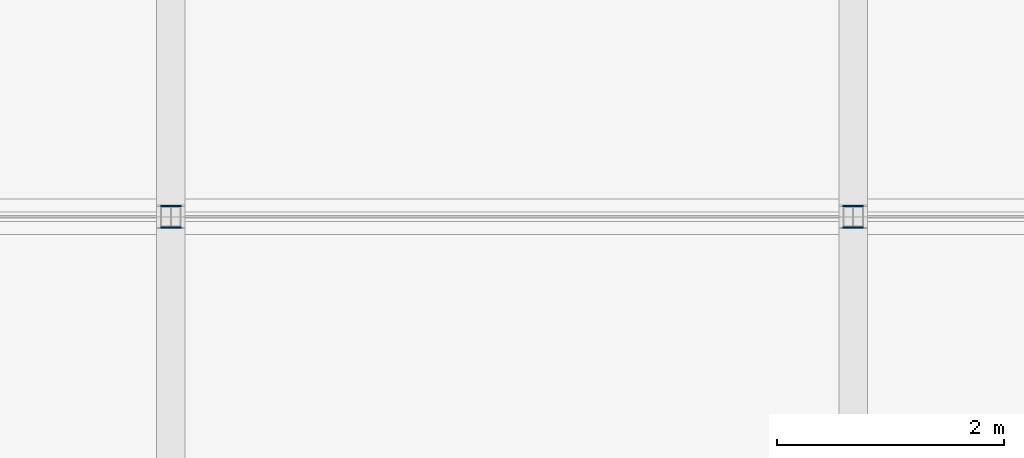
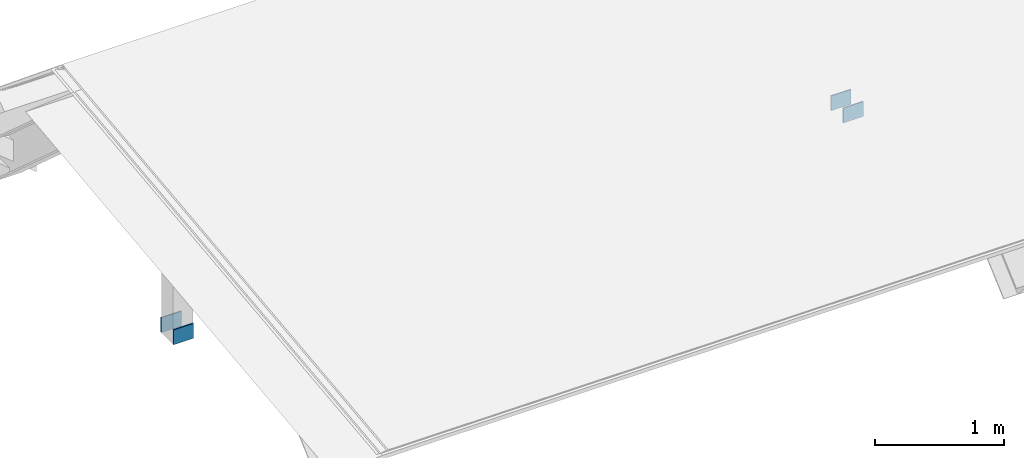
# One storey, part 84 of 108: 4 discrete accessories.
"""IFC4 building model written with IfcOpenShell, lengths in metres."""

from ifc_helpers import new_model, si_unit, direction, frame, origin, origin_2d, place, context, subcontext, project, spatial, rectangle, extrude, material, type_object, element, save


model = new_model("IFC4")

# Units and contexts
model_context = context("Model", 3, precision=1e-05, world=origin(), true_north=direction((0.0, 1.0)))
body_context = subcontext(model_context, "Body", "Model", "MODEL_VIEW")
ifc_project = project(units=[si_unit("LENGTHUNIT", "METRE"), si_unit("AREAUNIT", "SQUARE_METRE"), si_unit("VOLUMEUNIT", "CUBIC_METRE"), si_unit("PLANEANGLEUNIT", "RADIAN"), si_unit("MASSUNIT", "GRAM", prefix="KILO")], contexts=[model_context])

# Site, building, storey
site_placement = place(None, origin())
site = spatial("IfcSite", under=ifc_project, at=site_placement, CompositionType="ELEMENT")
building_placement = place(site_placement, origin())
building = spatial("IfcBuilding", under=site, at=building_placement, Name="Cumevento Cable Car Station", CompositionType="ELEMENT")
storey_placement = place(building_placement, frame((0.0, 0.0, 13.5)))
storey = spatial("IfcBuildingStorey", under=building, at=storey_placement, Name="L04", CompositionType="ELEMENT", Elevation=13.5)

# Discrete accessories
ifc_material = material(Name="Steel ASTM A572 Grade 50", Category="steel")
discrete_accessory_type = type_object("IfcDiscreteAccessoryType", Name="King Post Foot Cleat Plate KC-01", PredefinedType="BRACKET", material=ifc_material)
for number, where, z_axis, x_axis, name in (
    (1, (70.0, 6.655029296875, -0.0009765625), (0.0, 0.0, 1.0), (0.0, 1.0, 0.0), "King Post Foot Cleat Plate #7"),
    (2, (70.0, 6.844970703125, -0.0009765625), (0.0, 0.0, 1.0), (0.0, 1.0, 0.0), "King Post Foot Cleat Plate #8"),
    (3, (76.0, 6.655029296875, -0.0009765625), (0.0, 0.0, 1.0), (0.0, 1.0, 0.0), "King Post Foot Cleat Plate #9"),
    (4, (76.0, 6.844970703125, -0.0009765625), (0.0, 0.0, 1.0), (0.0, 1.0, 0.0), "King Post Foot Cleat Plate #10"),
):
    element("IfcDiscreteAccessory", number, at=place(storey_placement, frame(where, z_axis=z_axis, x_axis=x_axis)), inside=storey, type_object=discrete_accessory_type, Name=name, PredefinedType="BRACKET", context=body_context, shape_type="SweptSolid", body=[
        extrude(rectangle(XDim=0.011962890625, YDim=0.179931640625, at=origin_2d()), origin(), (0.0, 0.0, 1.0), 0.139892578125),
    ])

save(model, "model.ifc")
